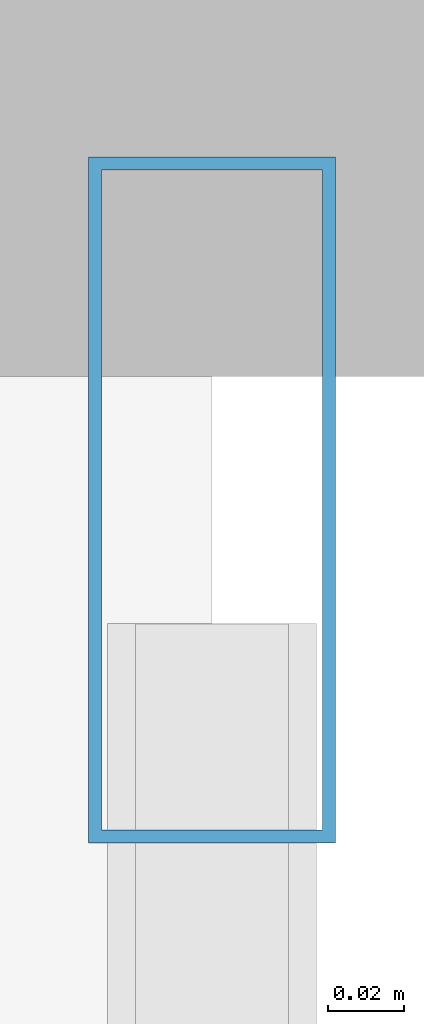
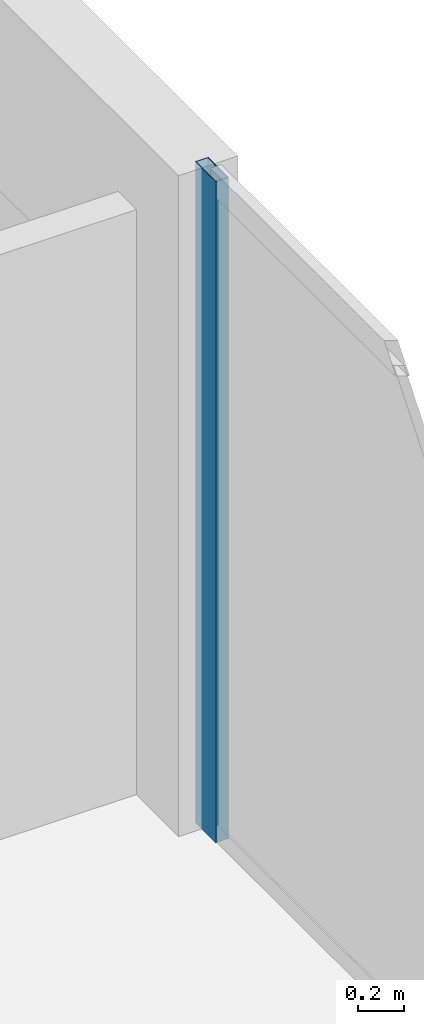
# One storey, part 22 of 33: 1 member, 1 element without a shape of its own.
"""IFC4 building model written with IfcOpenShell, lengths in metres."""

from ifc_helpers import new_model, si_unit, direction, frame, origin, origin_2d, place, context, subcontext, project, spatial, hollow_rectangle, extrude, material, layer, layer_set, material_profile, profile_set, type_object, element, aggregate, save


model = new_model("IFC4")

# Units and contexts
model_context = context("Model", 3, precision=1e-05, world=origin(), true_north=direction((0.0, 1.0)))
body_context = subcontext(model_context, "Body", "Model", "MODEL_VIEW")
ifc_project = project(units=[si_unit("LENGTHUNIT", "METRE"), si_unit("AREAUNIT", "SQUARE_METRE"), si_unit("VOLUMEUNIT", "CUBIC_METRE"), si_unit("PLANEANGLEUNIT", "RADIAN"), si_unit("MASSUNIT", "GRAM", prefix="KILO")], contexts=[model_context])

# Site, building, storey
site_placement = place(None, origin())
site = spatial("IfcSite", under=ifc_project, at=site_placement, CompositionType="ELEMENT")
building_placement = place(site_placement, origin())
building = spatial("IfcBuilding", under=site, at=building_placement, Name="Zuhayl Quay Hotel", CompositionType="ELEMENT")
storey_placement = place(building_placement, frame((0.0, 0.0, 214.89990234375)))
storey = spatial("IfcBuildingStorey", under=building, at=storey_placement, Name="L54", CompositionType="ELEMENT", Elevation=214.89990234375)

# Curtain wall, member
ifc_material_1 = material(Name="Anodised Aluminium 6063-T6", Category="aluminium")
ifc_layer = layer(ifc_material_1, 0.175048828125, Name="Anodised Aluminium 6063-T6", Category="aluminium")
ifc_layer_set = layer_set([ifc_layer], Name="Anodised Aluminium 6063-T6")
curtain_wall_type = type_object("IfcCurtainWallType", Name="CW_SYS_Z3", PredefinedType="USERDEFINED", material=ifc_layer_set)
curtain_wall_placement = place(storey_placement, origin())
curtain_wall = element("IfcCurtainWall", 1, at=curtain_wall_placement, inside=storey, type_object=curtain_wall_type, Name="L54 Curtain Wall ENV_L54_E11_CW1", ObjectType="UNITISED CURTAIN WALL", PredefinedType="USERDEFINED")
ifc_material_2 = material(Name="Black-anodised aluminium 6063-T6", Category="aluminium")
ifc_material_profile = material_profile(ifc_material_2, hollow_rectangle(XDim=0.06494140625, YDim=0.179931640625, WallThickness=0.00341796875, at=origin_2d()), Name="ALU180X65")
ifc_profile_set = profile_set([ifc_material_profile], Name="Black-anodised aluminium 6063-T6")
member_type = type_object("IfcMemberType", Name="MB_CW_MUL_180", PredefinedType="MULLION", material=ifc_profile_set)
member_placement = place(storey_placement, frame((22.10009765625, 24.517578125, 0.0), z_axis=(0.0, 0.0, 1.0), x_axis=(1.0, 0.0, 0.0)))
member = element("IfcMember", 2, at=member_placement, type_object=member_type, Name="CW-Z3 mullion 1", PredefinedType="MULLION", context=body_context, shape_type="SweptSolid", body=[
    extrude(hollow_rectangle(XDim=0.06494140625, YDim=0.179931640625, WallThickness=0.00341796875, at=origin_2d()), origin(), (0.0, 0.0, 1.0), 3.530029296875),
])
aggregate(curtain_wall, [member])

save(model, "model.ifc")
